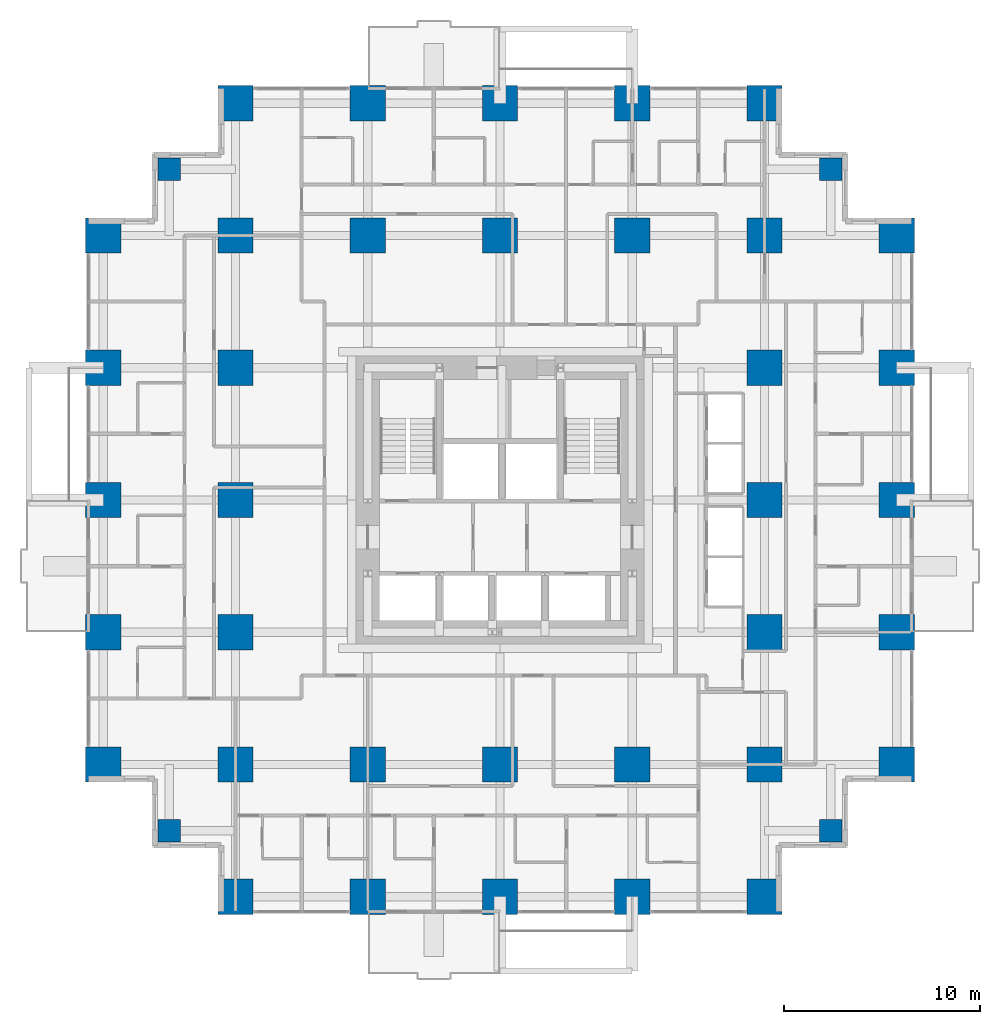
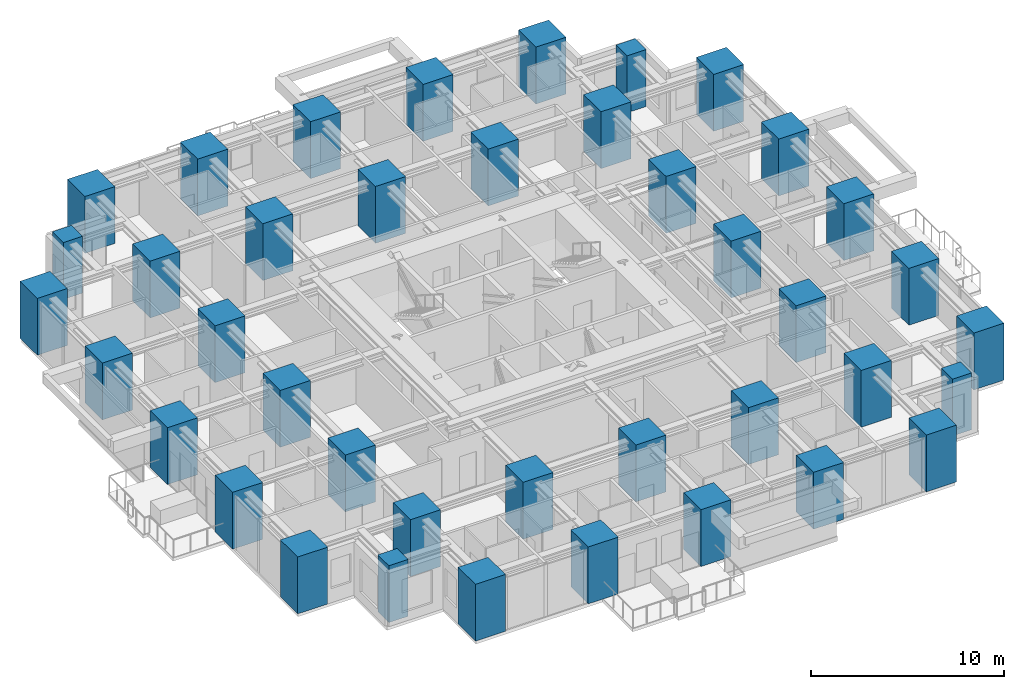
# One storey, part 1 of 14: 40 columns.
"""IFC4 building model written with IfcOpenShell, lengths in metres."""

import ifcopenshell
import ifcopenshell.guid

model = None  # the IFC model being written
_history = None  # IfcOwnerHistory: only IFC2X3 demands one
_inside = {}  # id of a spatial element -> (the spatial element, [elements in it])
_under = {}  # id of a project, library or spatial element -> (it, [spatial elements below it])
_declared = {}  # id of a project -> (the project, [libraries it declares])
_typed = {}  # id of a type object -> (the type object, [elements of that type])
_made_of = {}  # id of a material, layer set ... -> (it, [elements and type objects made of it])


def new_model(schema):
    """Start an empty IFC model of exactly this schema.

    Asked for "IFC4X3", IfcOpenShell would pick the latest addendum, in which some entities
    have other attributes; the version numbers below select the first issue.
    IFC2X3 requires an IfcOwnerHistory on every rooted entity: one is made here for all.
    """
    global model, _history
    if schema == "IFC4X3":
        model = ifcopenshell.file(schema_version=(4, 3, 0, 0))
    else:
        model = ifcopenshell.file(schema=schema)
    _inside.clear()
    _under.clear()
    _declared.clear()
    _typed.clear()
    _made_of.clear()
    _history = None
    if model.schema == "IFC2X3":
        org = make("IfcOrganization", Name="unknown")
        user = make(
            "IfcPersonAndOrganization",
            ThePerson=make("IfcPerson", FamilyName="unknown"),
            TheOrganization=org,
        )
        app = make(
            "IfcApplication",
            ApplicationDeveloper=org,
            Version="unknown",
            ApplicationFullName="unknown",
            ApplicationIdentifier="unknown",
        )
        _history = make(
            "IfcOwnerHistory",
            OwningUser=user,
            OwningApplication=app,
            ChangeAction="ADDED",
            CreationDate=0,
        )
    return model


def make(cls, **values):
    """One entity of the class cls with the attributes given. An attribute that is None is left unset."""
    return model.create_entity(
        cls, **{name: value for name, value in values.items() if value is not None}
    )


def rooted(cls, **values):
    """An entity with a GlobalId (a new one), such as an element, a storey or a relation."""
    return make(cls, GlobalId=ifcopenshell.guid.new(), OwnerHistory=_history, **values)


def si_unit(unit_type, name, prefix=None):
    """IfcSIUnit, for example si_unit("LENGTHUNIT", "METRE", prefix="MILLI")."""
    return make("IfcSIUnit", UnitType=unit_type, Prefix=prefix, Name=name)


def assignment(units):
    """IfcUnitAssignment: the units of a project."""
    return None if units is None else make("IfcUnitAssignment", Units=units)


def point(xyz):
    """IfcCartesianPoint."""
    return None if xyz is None else make("IfcCartesianPoint", Coordinates=xyz)


def direction(xyz):
    """IfcDirection."""
    return None if xyz is None else make("IfcDirection", DirectionRatios=xyz)


def frame(location, z_axis=None, x_axis=None):
    """IfcAxis2Placement3D, a coordinate frame: its origin and axes. An axis left out is left unset."""
    return make(
        "IfcAxis2Placement3D",
        Location=point(location),
        Axis=direction(z_axis),
        RefDirection=direction(x_axis),
    )


def frame_2d(location, x_axis=None):
    """IfcAxis2Placement2D, a coordinate frame in the plane: its origin and x axis."""
    return make(
        "IfcAxis2Placement2D", Location=point(location), RefDirection=direction(x_axis)
    )


def origin():
    """The frame at (0, 0, 0) with its axes left unset."""
    return frame((0.0, 0.0, 0.0))


def origin_2d():
    """The frame at (0, 0) in the plane with its x axis left unset."""
    return frame_2d((0.0, 0.0))


def place(relative_to, where):
    """IfcLocalPlacement: puts the frame where relative to a parent placement (None: the world)."""
    return make(
        "IfcLocalPlacement", PlacementRelTo=relative_to, RelativePlacement=where
    )


def context(
    kind, dimensions, precision=None, world=None, true_north=None, identifier=None
):
    """IfcGeometricRepresentationContext, for example the 3D "Model" context."""
    return make(
        "IfcGeometricRepresentationContext",
        ContextIdentifier=identifier,
        ContextType=kind,
        CoordinateSpaceDimension=dimensions,
        Precision=precision,
        WorldCoordinateSystem=world,
        TrueNorth=true_north,
    )


def subcontext(parent, identifier, kind, view, scale=None):
    """IfcGeometricRepresentationSubContext, for example "Body" below "Model"."""
    return make(
        "IfcGeometricRepresentationSubContext",
        ContextIdentifier=identifier,
        ContextType=kind,
        ParentContext=parent,
        TargetScale=scale,
        TargetView=view,
    )


def project(units=None, contexts=None):
    """IfcProject with its units and contexts."""
    return rooted(
        "IfcProject",
        Name="project",
        RepresentationContexts=contexts,
        UnitsInContext=assignment(units),
    )


def spatial(cls, under=None, at=None, **own):
    """A site, building, storey or space (cls), placed at a placement, below another one or the project."""
    s = rooted(cls, ObjectPlacement=at, **own)
    if under is not None:
        _under.setdefault(under.id(), (under, []))[1].append(s)
    return s


def profile(cls, at=None, kind="AREA", **sizes):
    """A parametric profile (cls). Its sizes go by their IFC names, for example OverallWidth=200.0."""
    return make(cls, ProfileType=kind, Position=at, **sizes)


def rectangle(**sizes):
    """IfcRectangleProfileDef."""
    return profile("IfcRectangleProfileDef", **sizes)


def extrude(swept, where, along, depth):
    """IfcExtrudedAreaSolid: the profile swept, set in the frame where, extruded along a direction by depth."""
    return make(
        "IfcExtrudedAreaSolid",
        SweptArea=swept,
        Position=where,
        ExtrudedDirection=direction(along),
        Depth=depth,
    )


def shape(context_of_items, identifier, shape_type, items):
    """IfcShapeRepresentation: the items that make up one representation, for example the "Body"."""
    return make(
        "IfcShapeRepresentation",
        ContextOfItems=context_of_items,
        RepresentationIdentifier=identifier,
        RepresentationType=shape_type,
        Items=items,
    )


def material(Name=None, Category=None):
    """IfcMaterial."""
    return make("IfcMaterial", Name=Name, Category=Category)


def material_profile(
    of_material, cross_section, Name=None, Category=None, Priority=None
):
    """IfcMaterialProfile: a cross section and its material."""
    return make(
        "IfcMaterialProfile",
        Name=Name,
        Material=of_material,
        Profile=cross_section,
        Priority=Priority,
        Category=Category,
    )


def profile_set(profiles, Name=None, composite=None):
    """IfcMaterialProfileSet."""
    return make(
        "IfcMaterialProfileSet",
        Name=Name,
        MaterialProfiles=profiles,
        CompositeProfile=composite,
    )


def made_of(thing, what):
    """Note that an element or type object is made of a material, layer set ...; save() writes the relation."""
    if what is not None:
        _made_of.setdefault(what.id(), (what, []))[1].append(thing)
    return thing


def type_object(cls, material=None, **own):
    """A type object (cls), such as IfcWallType, which elements share."""
    return made_of(rooted(cls, **own), material)


def element(
    cls,
    number,
    at=None,
    inside=None,
    cuts=None,
    type_object=None,
    material=None,
    context=None,
    identifier="Body",
    shape_type=None,
    held_by="IfcProductDefinitionShape",
    body=None,
    shapes=None,
    **own,
):
    """One element of the class cls, such as IfcWall. Its Tag is "e" and its number.

    at: its placement. inside: the storey or other place that contains it. cuts: it is an
    opening in that element (IfcRelVoidsElement). A single representation is given by context,
    identifier, shape_type and body (its items); several are given by shapes. held_by: the class
    of the entity that holds the representations. save() writes the other relations.
    """
    e = rooted(cls, Tag="e%d" % number, ObjectPlacement=at, **own)
    if body is not None:
        shapes = [shape(context, identifier, shape_type, body)]
    if shapes is not None:
        e.Representation = make(held_by, Representations=shapes)
    if inside is not None:
        _inside.setdefault(inside.id(), (inside, []))[1].append(e)
    if cuts is not None:
        rooted(
            "IfcRelVoidsElement", RelatingBuildingElement=cuts, RelatedOpeningElement=e
        )
    if type_object is not None:
        _typed.setdefault(type_object.id(), (type_object, []))[1].append(e)
    return made_of(e, material)


def aggregate(whole, parts):
    """IfcRelAggregates: a whole, such as a stair, and the parts it consists of."""
    return rooted("IfcRelAggregates", RelatingObject=whole, RelatedObjects=parts)


def save(model, path):
    """Write the relations noted so far, then the file.

    IfcRelAggregates (storeys below a building ...), IfcRelContainedInSpatialStructure (elements
    in a storey), IfcRelDefinesByType, IfcRelAssociatesMaterial and IfcRelDeclares: one each for
    every whole, place, type object, material and project.
    """
    for whole, parts in _under.values():
        aggregate(whole, parts)
    for where, things in _inside.values():
        rooted(
            "IfcRelContainedInSpatialStructure",
            RelatedElements=things,
            RelatingStructure=where,
        )
    for kind, things in _typed.values():
        rooted("IfcRelDefinesByType", RelatedObjects=things, RelatingType=kind)
    for what, things in _made_of.values():
        rooted("IfcRelAssociatesMaterial", RelatedObjects=things, RelatingMaterial=what)
    for by, libraries in _declared.values():
        rooted("IfcRelDeclares", RelatingContext=by, RelatedDefinitions=libraries)
    model.write(path)


model = new_model("IFC4")

# Units and contexts
model_context = context("Model", 3, precision=1e-05, world=origin(), true_north=direction((0.0, 1.0)))
body_context = subcontext(model_context, "Body", "Model", "MODEL_VIEW")
ifc_project = project(units=[si_unit("LENGTHUNIT", "METRE"), si_unit("AREAUNIT", "SQUARE_METRE"), si_unit("VOLUMEUNIT", "CUBIC_METRE"), si_unit("PLANEANGLEUNIT", "RADIAN"), si_unit("MASSUNIT", "GRAM", prefix="KILO")], contexts=[model_context])

# Site, building, storey
site_placement = place(None, origin())
site = spatial("IfcSite", under=ifc_project, at=site_placement, CompositionType="ELEMENT")
building_placement = place(site_placement, origin())
building = spatial("IfcBuilding", under=site, at=building_placement, Name="Nyansa Garden Tower", CompositionType="ELEMENT")
storey_placement = place(building_placement, frame((0.0, 0.0, 54.0)))
storey = spatial("IfcBuildingStorey", under=building, at=storey_placement, Name="L14", CompositionType="ELEMENT", Elevation=54.0)

# Columns
ifc_material_1 = material(Name="Concrete C70/85", Category="concrete")
ifc_material_profile_1 = material_profile(ifc_material_1, rectangle(XDim=1.14990234375, YDim=1.14990234375, at=origin_2d()), Name="RC 1150x1150")
ifc_profile_set_1 = profile_set([ifc_material_profile_1], Name="Concrete C70/85")
column_type_1 = type_object("IfcColumnType", Name="Column C115 RC 1150x1150", PredefinedType="COLUMN", material=ifc_profile_set_1)
for number, where, z_axis, x_axis, name in (
    (1, (3.375, 3.375, 0.0), (0.0, 0.0, 1.0), (1.0, 0.0, 0.0), "Column x3.375/y3.375 L14"),
    (2, (3.375, 37.125, 0.0), (0.0, 0.0, 1.0), (1.0, 0.0, 0.0), "Column x3.375/y37.125 L14"),
    (3, (37.125, 3.375, 0.0), (0.0, 0.0, 1.0), (1.0, 0.0, 0.0), "Column x37.125/y3.375 L14"),
    (4, (37.125, 37.125, 0.0), (0.0, 0.0, 1.0), (1.0, 0.0, 0.0), "Column x37.125/y37.125 L14"),
):
    element("IfcColumn", number, at=place(storey_placement, frame(where, z_axis=z_axis, x_axis=x_axis)), inside=storey, type_object=column_type_1, Name=name, PredefinedType="COLUMN", context=body_context, shape_type="SweptSolid", body=[
        extrude(rectangle(XDim=1.14990234375, YDim=1.14990234375, at=origin_2d()), origin(), (0.0, 0.0, 1.0), 3.60009765625),
    ])
ifc_material_2 = material(Name="Concrete C80/95", Category="concrete")
ifc_material_profile_2 = material_profile(ifc_material_2, rectangle(XDim=1.800048828125, YDim=1.800048828125, at=origin_2d()), Name="RC 1800x1800")
ifc_profile_set_2 = profile_set([ifc_material_profile_2], Name="Concrete C80/95")
column_type_2 = type_object("IfcColumnType", Name="Column C180 RC 1800x1800", PredefinedType="COLUMN", material=ifc_profile_set_2)
for number, where, z_axis, x_axis, name in (
    (5, (0.0, 6.75, 0.0), (0.0, 0.0, 1.0), (1.0, 0.0, 0.0), "Column 2/E L14"),
    (6, (0.0, 13.5, 0.0), (0.0, 0.0, 1.0), (1.0, 0.0, 0.0), "Column 2/F L14"),
    (7, (0.0, 20.25, 0.0), (0.0, 0.0, 1.0), (1.0, 0.0, 0.0), "Column 2/G L14"),
    (8, (0.0, 27.0, 0.0), (0.0, 0.0, 1.0), (1.0, 0.0, 0.0), "Column 2/H L14"),
    (9, (0.0, 33.75, 0.0), (0.0, 0.0, 1.0), (1.0, 0.0, 0.0), "Column 2/J L14"),
    (10, (6.75, 0.0, 0.0), (0.0, 0.0, 1.0), (1.0, 0.0, 0.0), "Column 3/D L14"),
    (11, (6.75, 6.75, 0.0), (0.0, 0.0, 1.0), (1.0, 0.0, 0.0), "Column 3/E L14"),
    (12, (6.75, 13.5, 0.0), (0.0, 0.0, 1.0), (1.0, 0.0, 0.0), "Column 3/F L14"),
    (13, (6.75, 20.25, 0.0), (0.0, 0.0, 1.0), (1.0, 0.0, 0.0), "Column 3/G L14"),
    (14, (6.75, 27.0, 0.0), (0.0, 0.0, 1.0), (1.0, 0.0, 0.0), "Column 3/H L14"),
    (15, (6.75, 33.75, 0.0), (0.0, 0.0, 1.0), (1.0, 0.0, 0.0), "Column 3/J L14"),
    (16, (6.75, 40.5, 0.0), (0.0, 0.0, 1.0), (1.0, 0.0, 0.0), "Column 3/K L14"),
    (17, (13.5, 0.0, 0.0), (0.0, 0.0, 1.0), (1.0, 0.0, 0.0), "Column 4/D L14"),
    (18, (13.5, 6.75, 0.0), (0.0, 0.0, 1.0), (1.0, 0.0, 0.0), "Column 4/E L14"),
    (19, (13.5, 33.75, 0.0), (0.0, 0.0, 1.0), (1.0, 0.0, 0.0), "Column 4/J L14"),
    (20, (13.5, 40.5, 0.0), (0.0, 0.0, 1.0), (1.0, 0.0, 0.0), "Column 4/K L14"),
    (21, (20.25, 0.0, 0.0), (0.0, 0.0, 1.0), (1.0, 0.0, 0.0), "Column 5/D L14"),
    (22, (20.25, 6.75, 0.0), (0.0, 0.0, 1.0), (1.0, 0.0, 0.0), "Column 5/E L14"),
    (23, (20.25, 33.75, 0.0), (0.0, 0.0, 1.0), (1.0, 0.0, 0.0), "Column 5/J L14"),
    (24, (20.25, 40.5, 0.0), (0.0, 0.0, 1.0), (1.0, 0.0, 0.0), "Column 5/K L14"),
    (25, (27.0, 0.0, 0.0), (0.0, 0.0, 1.0), (1.0, 0.0, 0.0), "Column 6/D L14"),
    (26, (27.0, 6.75, 0.0), (0.0, 0.0, 1.0), (1.0, 0.0, 0.0), "Column 6/E L14"),
    (27, (27.0, 33.75, 0.0), (0.0, 0.0, 1.0), (1.0, 0.0, 0.0), "Column 6/J L14"),
    (28, (27.0, 40.5, 0.0), (0.0, 0.0, 1.0), (1.0, 0.0, 0.0), "Column 6/K L14"),
    (29, (33.75, 0.0, 0.0), (0.0, 0.0, 1.0), (1.0, 0.0, 0.0), "Column 7/D L14"),
    (30, (33.75, 6.75, 0.0), (0.0, 0.0, 1.0), (1.0, 0.0, 0.0), "Column 7/E L14"),
    (31, (33.75, 13.5, 0.0), (0.0, 0.0, 1.0), (1.0, 0.0, 0.0), "Column 7/F L14"),
    (32, (33.75, 20.25, 0.0), (0.0, 0.0, 1.0), (1.0, 0.0, 0.0), "Column 7/G L14"),
    (33, (33.75, 27.0, 0.0), (0.0, 0.0, 1.0), (1.0, 0.0, 0.0), "Column 7/H L14"),
    (34, (33.75, 33.75, 0.0), (0.0, 0.0, 1.0), (1.0, 0.0, 0.0), "Column 7/J L14"),
    (35, (33.75, 40.5, 0.0), (0.0, 0.0, 1.0), (1.0, 0.0, 0.0), "Column 7/K L14"),
    (36, (40.5, 6.75, 0.0), (0.0, 0.0, 1.0), (1.0, 0.0, 0.0), "Column 8/E L14"),
    (37, (40.5, 13.5, 0.0), (0.0, 0.0, 1.0), (1.0, 0.0, 0.0), "Column 8/F L14"),
    (38, (40.5, 20.25, 0.0), (0.0, 0.0, 1.0), (1.0, 0.0, 0.0), "Column 8/G L14"),
    (39, (40.5, 27.0, 0.0), (0.0, 0.0, 1.0), (1.0, 0.0, 0.0), "Column 8/H L14"),
    (40, (40.5, 33.75, 0.0), (0.0, 0.0, 1.0), (1.0, 0.0, 0.0), "Column 8/J L14"),
):
    element("IfcColumn", number, at=place(storey_placement, frame(where, z_axis=z_axis, x_axis=x_axis)), inside=storey, type_object=column_type_2, Name=name, PredefinedType="COLUMN", context=body_context, shape_type="SweptSolid", body=[
        extrude(rectangle(XDim=1.800048828125, YDim=1.800048828125, at=origin_2d()), origin(), (0.0, 0.0, 1.0), 3.60009765625),
    ])

save(model, "model.ifc")
